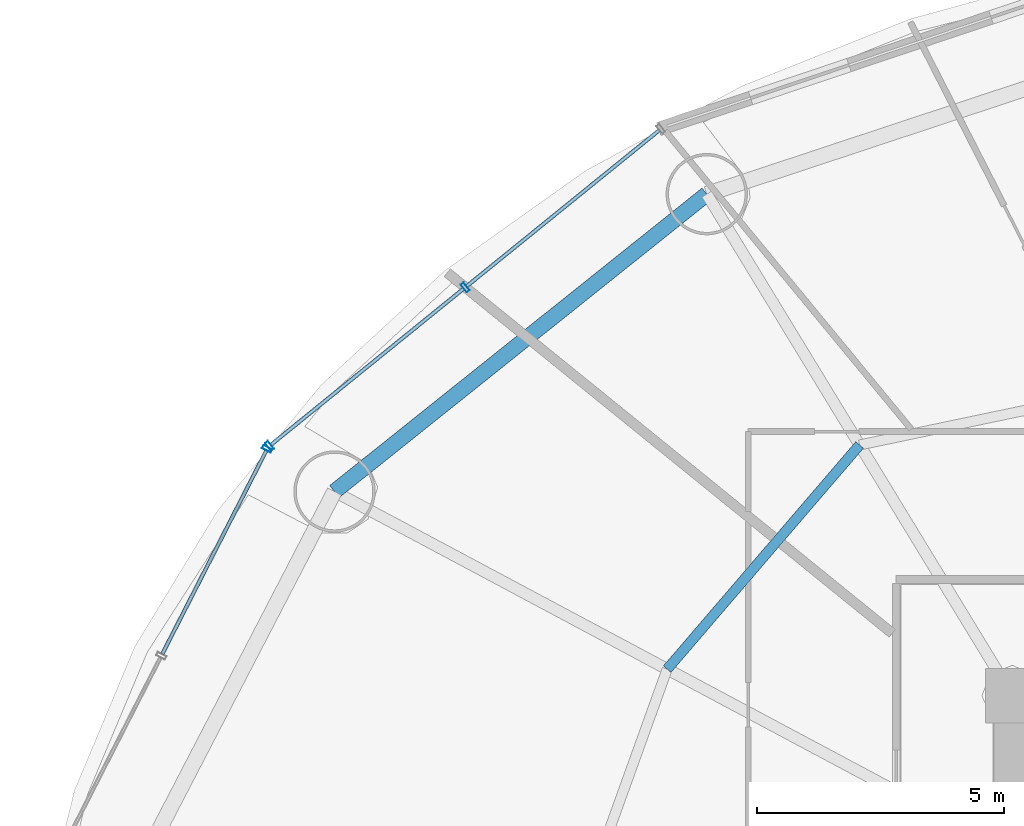
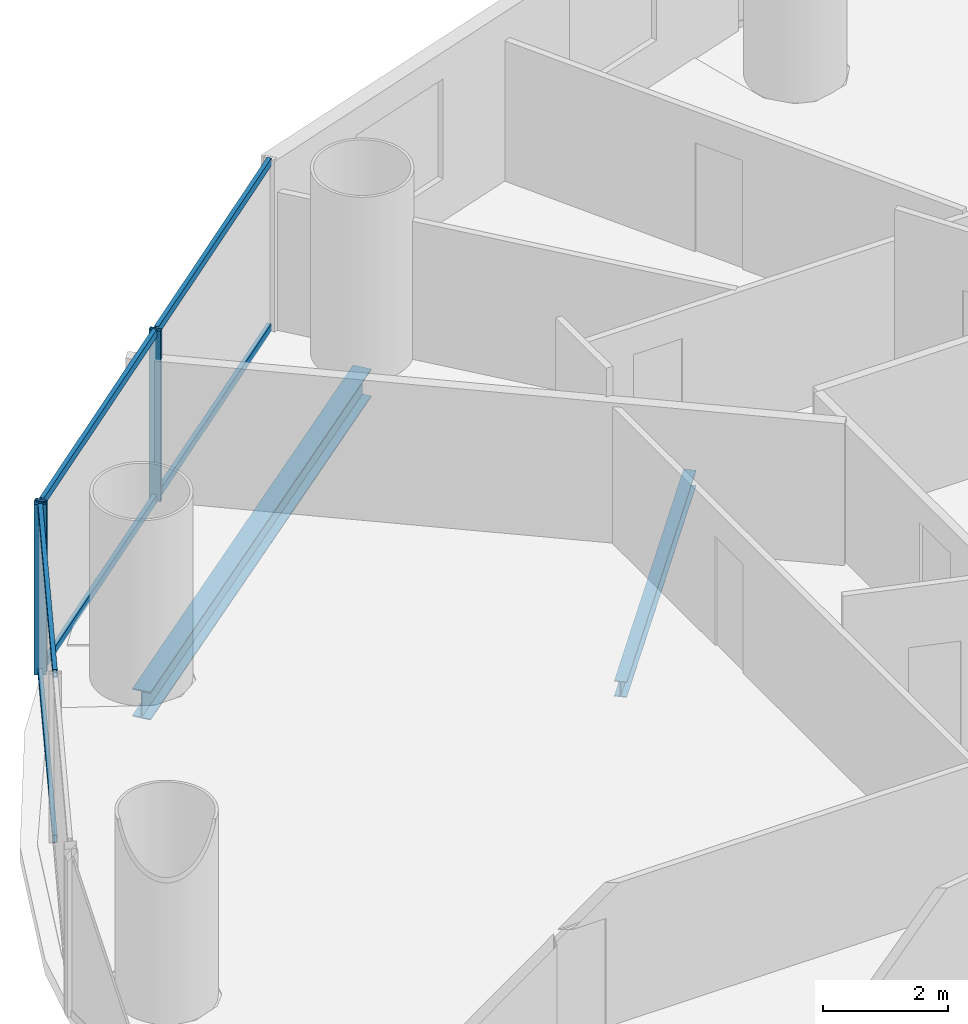
# One storey, part 15 of 29: 9 members, 2 beams, 2 elements without a shape of their own.
"""IFC4 building model written with IfcOpenShell, lengths in metres."""

from ifc_helpers import new_model, si_unit, direction, frame, origin, origin_2d, place, context, subcontext, project, spatial, hollow_rectangle, i_section, extrude, source, transform, mapped, material, material_profile, profile_set, type_object, element, aggregate, save


model = new_model("IFC4")

# Units and contexts
model_context = context("Model", 3, precision=1e-05, world=origin(), true_north=direction((-0.2419218956, 0.970295726276)))
body_context = subcontext(model_context, "Body", "Model", "MODEL_VIEW")
ifc_project = project(units=[si_unit("LENGTHUNIT", "METRE"), si_unit("AREAUNIT", "SQUARE_METRE"), si_unit("VOLUMEUNIT", "CUBIC_METRE"), si_unit("PLANEANGLEUNIT", "RADIAN"), si_unit("MASSUNIT", "GRAM", prefix="KILO")], contexts=[model_context])

# Site, building, storey
site_placement = place(None, origin())
site = spatial("IfcSite", under=ifc_project, at=site_placement, CompositionType="ELEMENT")
building_placement = place(site_placement, origin())
building = spatial("IfcBuilding", under=site, at=building_placement, Name="Cobrevalo Terracotta Tower", CompositionType="ELEMENT")
storey_placement = place(building_placement, frame((0.0, 0.0, 67.199951171875)))
storey = spatial("IfcBuildingStorey", under=building, at=storey_placement, Name="L17", CompositionType="ELEMENT", Elevation=67.199951171875)

# Beams
ifc_material_1 = material(Name="Steel S355", Category="steel")
ifc_material_profile_1 = material_profile(ifc_material_1, i_section(OverallWidth=0.2041015625, OverallDepth=0.305908203125, WebThickness=0.008544921875, FlangeThickness=0.0146484375, at=origin_2d()), Name="W 310x67")
ifc_profile_set_1 = profile_set([ifc_material_profile_1], Name="Steel S355")
beam_type_1 = type_object("IfcBeamType", Name="Structural Joist W 310x67 (Steel S355)", PredefinedType="JOIST", material=ifc_profile_set_1)
beam_1_placement = place(storey_placement, frame((25.902587890625, 39.8837890625, -0.432861328125), z_axis=(-0.651328404454, -0.758795960421, 0.0), x_axis=(0.758795960421, -0.651328404454, 0.0)))
element("IfcBeam", 1, at=beam_1_placement, inside=storey, type_object=beam_type_1, Name="L17 circumferential secondary floor joist 06", PredefinedType="JOIST", context=body_context, shape_type="SweptSolid", body=[
    extrude(i_section(OverallWidth=0.2041015625, OverallDepth=0.305908203125, WebThickness=0.008544921875, FlangeThickness=0.0146484375, at=origin_2d()), origin(), (0.0, 0.0, 1.0), 5.98828125),
])
ifc_material_profile_2 = material_profile(ifc_material_1, i_section(OverallWidth=0.31201171875, OverallDepth=0.54296875, WebThickness=0.0126953125, FlangeThickness=0.020263671875, at=origin_2d()), Name="W 530x150")
ifc_profile_set_2 = profile_set([ifc_material_profile_2], Name="Steel S355")
beam_type_2 = type_object("IfcBeamType", Name="Structural Spandrel W 530x150 (Steel S355)", PredefinedType="SPANDREL", material=ifc_profile_set_2)
beam_2_placement = place(storey_placement, frame((22.80517578125, 44.967529296875, -0.551513671875), z_axis=(-0.781292806807, -0.62416468182, 0.0), x_axis=(0.62416468182, -0.781292806807, 0.0)))
element("IfcBeam", 2, at=beam_2_placement, inside=storey, type_object=beam_type_2, Name="L17 perimeter ring spandrel 06", PredefinedType="SPANDREL", context=body_context, shape_type="SweptSolid", body=[
    extrude(i_section(OverallWidth=0.31201171875, OverallDepth=0.54296875, WebThickness=0.0126953125, FlangeThickness=0.020263671875, at=origin_2d()), origin(), (0.0, 0.0, 1.0), 9.658203125),
])

# Curtain wall, members
ifc_material_2 = material(Name="Anodized aluminium", Category="aluminium")
curtain_wall_type = type_object("IfcCurtainWallType", Name="Lower-tower unitised acoustic low-E curtain wall CW-U1", PredefinedType="NOTDEFINED", material=ifc_material_2)
curtain_wall_1_placement = place(storey_placement, origin())
curtain_wall_1 = element("IfcCurtainWall", 3, at=curtain_wall_1_placement, inside=storey, type_object=curtain_wall_type, Name="L17 curtain wall CW-L17-S06", PredefinedType="NOTDEFINED")
ifc_material_profile_3 = material_profile(ifc_material_2, hollow_rectangle(XDim=0.074951171875, YDim=0.199951171875, WallThickness=0.0048828125, at=origin_2d()), Name="CWM 75x200")
ifc_profile_set_3 = profile_set([ifc_material_profile_3], Name="Anodized aluminium")
member_type_1 = type_object("IfcMemberType", Name="Lower/mid tower unitised mullion 75x200", PredefinedType="MULLION", material=ifc_profile_set_3)
shared_shape_1 = source(origin(), body_context, "Body", "SweptSolid", [
    extrude(hollow_rectangle(XDim=0.074951171875, YDim=0.199951171875, WallThickness=0.0048828125, at=origin_2d()), origin(), (0.0, 0.0, 1.0), 3.320068359375),
])
member_1_placement = place(storey_placement, frame((17.90869140625, 43.076904296875, 0.0), z_axis=(0.0, 0.0, 1.0), x_axis=(-0.777003153187, -0.629496703675, 0.0)))
member_1 = element("IfcMember", 4, at=member_1_placement, type_object=member_type_1, Name="CW-L17-S06 vertical mullion 02", PredefinedType="MULLION", context=body_context, shape_type="MappedRepresentation", body=[
    mapped(shared_shape_1, transform((0.0, 0.0, 0.0), scale=1.0)),
])
member_2_placement = place(storey_placement, frame((13.943359375, 39.864501953125, 0.0), z_axis=(0.0, 0.0, 1.0), x_axis=(-0.777003153187, -0.629496703675, 0.0)))
member_2 = element("IfcMember", 5, at=member_2_placement, type_object=member_type_1, Name="CW-L17-S06 vertical mullion 03", PredefinedType="MULLION", context=body_context, shape_type="MappedRepresentation", body=[
    mapped(shared_shape_1, transform((0.0, 0.0, 0.0), scale=1.0)),
])

# Curtain wall, member
curtain_wall_2_placement = place(storey_placement, origin())
curtain_wall_2 = element("IfcCurtainWall", 6, at=curtain_wall_2_placement, inside=storey, type_object=curtain_wall_type, Name="L17 curtain wall CW-L17-S07", PredefinedType="NOTDEFINED")
member_3_placement = place(storey_placement, frame((13.89404296875, 39.8037109375, 0.0), z_axis=(0.0, 0.0, 1.0), x_axis=(-0.455234136597, -0.890371765543, 0.0)))
member_3 = element("IfcMember", 7, at=member_3_placement, type_object=member_type_1, Name="CW-L17-S07 vertical mullion 01", PredefinedType="MULLION", context=body_context, shape_type="MappedRepresentation", body=[
    mapped(shared_shape_1, transform((0.0, 0.0, 0.0), scale=1.0)),
])

# Member
ifc_material_profile_4 = material_profile(ifc_material_2, hollow_rectangle(XDim=0.074951171875, YDim=0.14990234375, WallThickness=0.00439453125, at=origin_2d()), Name="CWT 75x150")
ifc_profile_set_4 = profile_set([ifc_material_profile_4], Name="Anodized aluminium")
member_type_2 = type_object("IfcMemberType", Name="Tower unitised aluminium transom 75x150", PredefinedType="USERDEFINED", material=ifc_profile_set_4)
shared_shape_2 = source(origin(), body_context, "Body", "SweptSolid", [
    extrude(hollow_rectangle(XDim=0.074951171875, YDim=0.14990234375, WallThickness=0.00439453125, at=origin_2d()), origin(), (0.0, 0.0, 1.0), 5.0234375),
])
member_4_placement = place(storey_placement, frame((21.843017578125, 46.26416015625, 0.050048828125), z_axis=(-0.777022991593, -0.629472215857, 0.0), x_axis=(0.629472215857, -0.777022991593, 0.0)))
member_4 = element("IfcMember", 8, at=member_4_placement, type_object=member_type_2, Name="CW-L17-S06 transom B01-T1", ObjectType="TRANSOM", PredefinedType="USERDEFINED", context=body_context, shape_type="MappedRepresentation", body=[
    mapped(shared_shape_2, transform((0.0, 0.0, 0.0), scale=1.0)),
])

member_5_placement = place(storey_placement, frame((21.843017578125, 46.26416015625, 3.27001953125), z_axis=(-0.777022991593, -0.629472215857, 0.0), x_axis=(0.629472215857, -0.777022991593, 0.0)))
member_5 = element("IfcMember", 9, at=member_5_placement, type_object=member_type_2, Name="CW-L17-S06 transom B01-T2", ObjectType="TRANSOM", PredefinedType="USERDEFINED", context=body_context, shape_type="MappedRepresentation", body=[
    mapped(shared_shape_2, transform((0.0, 0.0, 0.0), scale=1.0)),
])

member_6_placement = place(storey_placement, frame((17.877685546875, 43.0517578125, 0.050048828125), z_axis=(-0.777022991593, -0.629472215857, 0.0), x_axis=(0.629472215857, -0.777022991593, 0.0)))
member_6 = element("IfcMember", 10, at=member_6_placement, type_object=member_type_2, Name="CW-L17-S06 transom B02-T1", ObjectType="TRANSOM", PredefinedType="USERDEFINED", context=body_context, shape_type="MappedRepresentation", body=[
    mapped(shared_shape_2, transform((0.0, 0.0, 0.0), scale=1.0)),
])

member_7_placement = place(storey_placement, frame((17.877685546875, 43.0517578125, 3.27001953125), z_axis=(-0.777022991593, -0.629472215857, 0.0), x_axis=(0.629472215857, -0.777022991593, 0.0)))
member_7 = element("IfcMember", 11, at=member_7_placement, type_object=member_type_2, Name="CW-L17-S06 transom B02-T2", ObjectType="TRANSOM", PredefinedType="USERDEFINED", context=body_context, shape_type="MappedRepresentation", body=[
    mapped(shared_shape_2, transform((0.0, 0.0, 0.0), scale=1.0)),
])

aggregate(curtain_wall_1, [member_1, member_2, member_4, member_5, member_6, member_7])

shared_shape_3 = source(origin(), body_context, "Body", "SweptSolid", [
    extrude(hollow_rectangle(XDim=0.074951171875, YDim=0.14990234375, WallThickness=0.00439453125, at=origin_2d()), origin(), (0.0, 0.0, 1.0), 4.63134765625),
])
member_8_placement = place(storey_placement, frame((13.8759765625, 39.76806640625, 0.050048828125), z_axis=(-0.455250376494, -0.890363462133, 0.0), x_axis=(0.890363462133, -0.455250376494, 0.0)))
member_8 = element("IfcMember", 12, at=member_8_placement, type_object=member_type_2, Name="CW-L17-S07 transom B01-T1", ObjectType="TRANSOM", PredefinedType="USERDEFINED", context=body_context, shape_type="MappedRepresentation", body=[
    mapped(shared_shape_3, transform((0.0, 0.0, 0.0), scale=1.0)),
])

member_9_placement = place(storey_placement, frame((13.8759765625, 39.76806640625, 3.27001953125), z_axis=(-0.455250376494, -0.890363462133, 0.0), x_axis=(0.890363462133, -0.455250376494, 0.0)))
member_9 = element("IfcMember", 13, at=member_9_placement, type_object=member_type_2, Name="CW-L17-S07 transom B01-T2", ObjectType="TRANSOM", PredefinedType="USERDEFINED", context=body_context, shape_type="MappedRepresentation", body=[
    mapped(shared_shape_3, transform((0.0, 0.0, 0.0), scale=1.0)),
])

aggregate(curtain_wall_2, [member_3, member_8, member_9])

save(model, "model.ifc")
